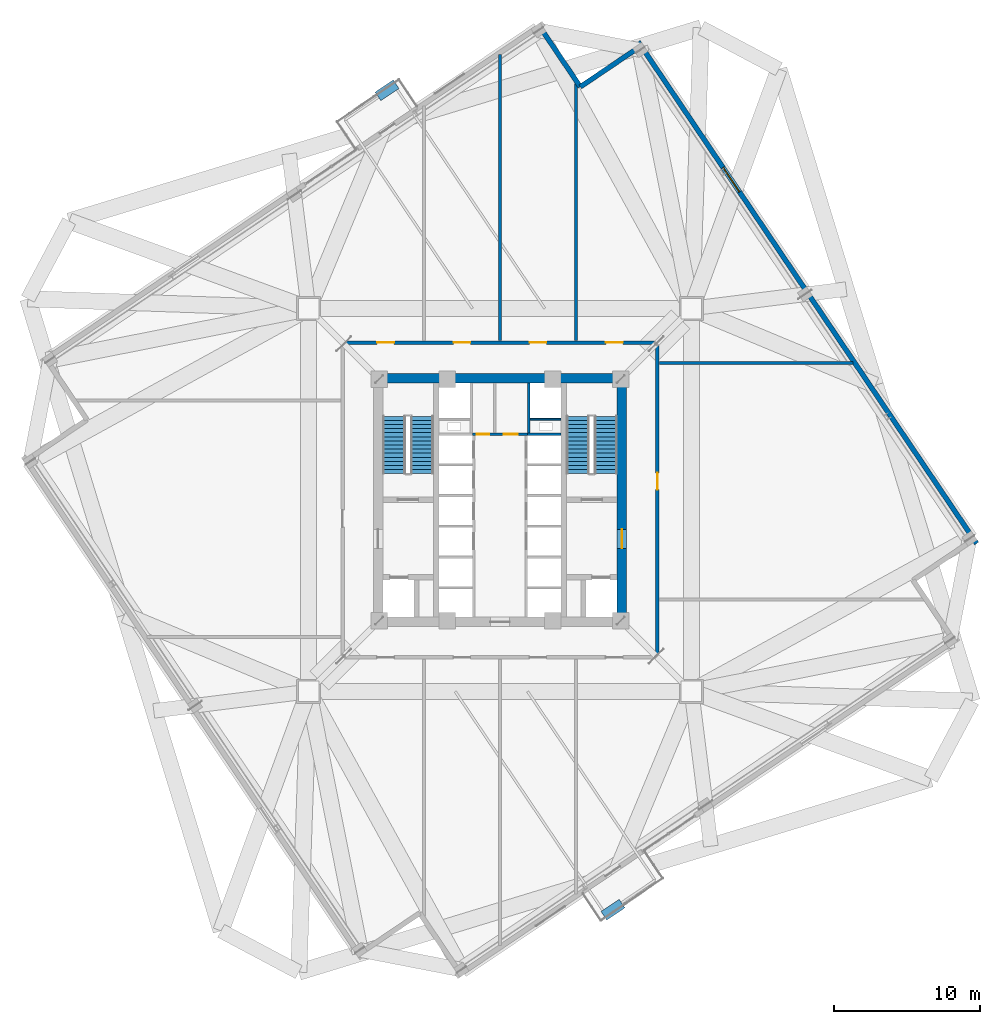
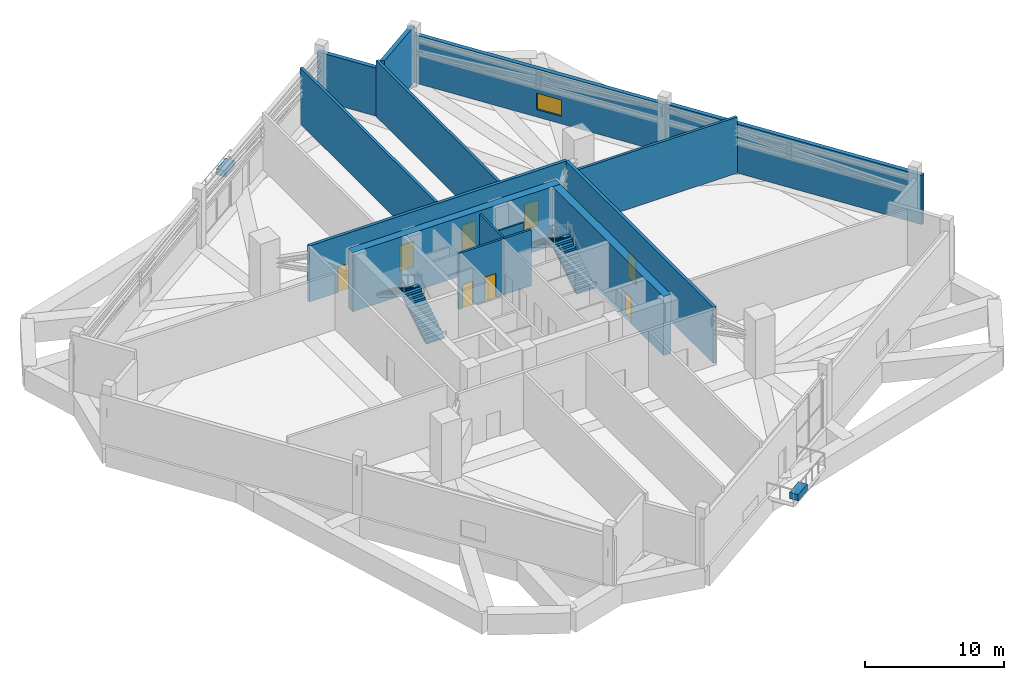
# One storey, part 18 of 21: 15 walls, 8 doors, 4 stair flights, 2 discrete accessories, 1 window, 9 openings, 2 elements without a shape of their own.
"""IFC4 building model written with IfcOpenShell, lengths in metres."""

from ifc_helpers import new_model, si_unit, direction, frame, frame_2d, origin, origin_2d, place, context, subcontext, project, spatial, polyline, rectangle, outline, extrude, source, transform, mapped, material, layer, layer_set, type_object, element, fill, aggregate, save


model = new_model("IFC4")

# Units and contexts
model_context = context("Model", 3, precision=1e-05, world=origin(), true_north=direction((0.0, 1.0)))
body_context = subcontext(model_context, "Body", "Model", "MODEL_VIEW")
ifc_project = project(units=[si_unit("LENGTHUNIT", "METRE"), si_unit("AREAUNIT", "SQUARE_METRE"), si_unit("VOLUMEUNIT", "CUBIC_METRE"), si_unit("PLANEANGLEUNIT", "RADIAN"), si_unit("MASSUNIT", "GRAM", prefix="KILO"), si_unit("THERMODYNAMICTEMPERATUREUNIT", "KELVIN")], contexts=[model_context])

# Site, building, storey
site_placement = place(None, origin())
site = spatial("IfcSite", under=ifc_project, at=site_placement, CompositionType="ELEMENT")
building_placement = place(site_placement, origin())
building = spatial("IfcBuilding", under=site, at=building_placement, Name="Kosmvard Interchange Tower", CompositionType="ELEMENT")
storey_placement = place(building_placement, frame((0.0, 0.0, 139.199951171875)))
storey = spatial("IfcBuildingStorey", under=building, at=storey_placement, Name="L33", CompositionType="ELEMENT", Elevation=139.199951171875)

# Wall
ifc_material_1 = material(Name="Fire-rated gypsum partition system")
ifc_layer_1 = layer(ifc_material_1, 0.159912109375, Name="Fire-rated gypsum partition system")
ifc_layer_set_1 = layer_set([ifc_layer_1], Name="Fire-rated gypsum partition system")
wall_type_1 = type_object("IfcWallType", Name="Core Compartment & Shuttle Lobby Partition 160", PredefinedType="PARTITIONING", material=ifc_layer_set_1)
wall_1_placement = place(storey_placement, frame((1.9599609375, 4.580078125, 0.0), z_axis=(0.0, 0.0, 1.0), x_axis=(0.0, 1.0, 0.0)))
element("IfcWall", 1, at=wall_1_placement, inside=storey, type_object=wall_type_1, Name="L33 North Core East Wall", PredefinedType="PARTITIONING", context=body_context, shape_type="SweptSolid", body=[
    extrude(rectangle(XDim=3.39990234375, YDim=0.159912109375, at=frame_2d((1.699951171875, 0.0))), origin(), (0.0, 0.0, 1.0), 4.93994140625),
])

# Wall, openings, doors
ifc_layer_2 = layer(ifc_material_1, 0.179931640625, Name="Fire-rated gypsum partition system")
ifc_layer_set_2 = layer_set([ifc_layer_2], Name="Fire-rated gypsum partition system")
wall_type_2 = type_object("IfcWallType", Name="Corridor & Hotel Compartment Partition 180", PredefinedType="PARTITIONING", material=ifc_layer_set_2)
wall_2_placement = place(storey_placement, frame((-1.8798828125, 4.489990234375, 0.0), z_axis=(0.0, 0.0, 1.0), x_axis=(1.0, 0.0, 0.0)))
wall_2 = element("IfcWall", 2, at=wall_2_placement, inside=storey, type_object=wall_type_2, Name="L33 Lift Lobby North Partition", PredefinedType="PARTITIONING", context=body_context, shape_type="SweptSolid", body=[
    extrude(rectangle(XDim=3.759765625, YDim=0.179931640625, at=frame_2d((1.8798828125, 0.0))), origin(), (0.0, 0.0, 1.0), 4.93994140625),
])
opening_1_placement = place(wall_2_placement, frame((0.280029296875, 0.0, 0.0)))
opening_1 = element("IfcOpeningElement", 3, at=opening_1_placement, cuts=wall_2, Name="Opening L33-KD1", PredefinedType="OPENING", context=body_context, shape_type="SweptSolid", body=[
    extrude(rectangle(XDim=0.8798828125, YDim=2.10009765625, at=frame_2d((0.43994140625, 1.050048828125))), frame((0.0, 0.10009765625, 0.0), z_axis=(0.0, -1.0, 0.0), x_axis=(1.0, 0.0, 0.0)), (0.0, 0.0, 1.0), 0.199951171875),
])
opening_2_placement = place(wall_2_placement, frame((2.14990234375, 0.0, 0.0)))
opening_2 = element("IfcOpeningElement", 4, at=opening_2_placement, cuts=wall_2, Name="Opening L33-KD2", PredefinedType="OPENING", context=body_context, shape_type="SweptSolid", body=[
    extrude(rectangle(XDim=0.949951171875, YDim=2.10009765625, at=frame_2d((0.47509765625, 1.050048828125))), frame((0.0, 0.10009765625, 0.0), z_axis=(0.0, -1.0, 0.0), x_axis=(1.0, 0.0, 0.0)), (0.0, 0.0, 1.0), 0.199951171875),
])
ifc_material_2 = material(Name="Painted fire-rated timber leaf", Category="wood")
door_type_1 = type_object("IfcDoorType", Name="Core Service Fire Door 950x2100 EI30", OperationType="NOTDEFINED", PredefinedType="DOOR", material=ifc_material_2)
shared_shape_1 = source(origin(), body_context, "Body", "SweptSolid", [
    extrude(rectangle(XDim=0.949951171875, YDim=2.10009765625, at=frame_2d((0.47509765625, 1.050048828125))), frame((0.0, 0.02490234375, 0.0), z_axis=(0.0, -1.0, 0.0), x_axis=(1.0, 0.0, 0.0)), (0.0, 0.0, 1.0), 0.050048828125),
])
door_1_placement = place(opening_2_placement, origin())
door_1 = element("IfcDoor", 5, at=door_1_placement, inside=storey, type_object=door_type_1, Name="L33 Core Tea Pantry Door", OperationType="SINGLE_SWING_RIGHT", OverallHeight=2.10009765625, OverallWidth=0.949951171875, PredefinedType="DOOR", context=body_context, shape_type="MappedRepresentation", body=[
    mapped(shared_shape_1, transform((0.0, 0.0, 0.0), scale=1.0)),
])
fill(opening_2, door_1)
door_type_2 = type_object("IfcDoorType", Name="Core Cupboard Fire Door 880x2100 EI30", OperationType="NOTDEFINED", PredefinedType="DOOR", material=ifc_material_2)
shared_shape_2 = source(origin(), body_context, "Body", "SweptSolid", [
    extrude(rectangle(XDim=0.8798828125, YDim=2.10009765625, at=frame_2d((0.43994140625, 1.050048828125))), frame((0.0, 0.02490234375, 0.0), z_axis=(0.0, -1.0, 0.0), x_axis=(1.0, 0.0, 0.0)), (0.0, 0.0, 1.0), 0.050048828125),
])
door_2_placement = place(opening_1_placement, origin())
door_2 = element("IfcDoor", 6, at=door_2_placement, inside=storey, type_object=door_type_2, Name="L33 Core Cleaner Cupboard Door", OperationType="SINGLE_SWING_LEFT", OverallHeight=2.10009765625, OverallWidth=0.8798828125, PredefinedType="DOOR", context=body_context, shape_type="MappedRepresentation", body=[
    mapped(shared_shape_2, transform((0.0, 0.0, 0.0), scale=1.0)),
])
fill(opening_1, door_2)

ifc_material_3 = material(Name="Concrete blockwork masonry", Category="masonry")
ifc_layer_3 = layer(ifc_material_3, 0.25, Name="Concrete blockwork masonry")
ifc_layer_set_3 = layer_set([ifc_layer_3], Name="Concrete blockwork masonry")
wall_type_3 = type_object("IfcWallType", Name="Exit Passage & Firefighting Lobby Wall 250", PredefinedType="PARTITIONING", material=ifc_layer_set_3)
wall_3_placement = place(storey_placement, frame((-10.75, 10.75, 0.0), z_axis=(0.0, 0.0, 1.0), x_axis=(1.0, 0.0, 0.0)))
wall_3 = element("IfcWall", 7, at=wall_3_placement, inside=storey, type_object=wall_type_3, Name="L33 Corridor Wall CN", PredefinedType="PARTITIONING", context=body_context, shape_type="SweptSolid", body=[
    extrude(rectangle(XDim=21.5, YDim=0.25, at=frame_2d((10.75, 0.0))), origin(), (0.0, 0.0, 1.0), 4.93994140625),
])
opening_3_placement = place(wall_3_placement, frame((2.364501953125, 0.0, 0.0)))
opening_3 = element("IfcOpeningElement", 8, at=opening_3_placement, cuts=wall_3, Name="Opening L33-D01", PredefinedType="OPENING", context=body_context, shape_type="SweptSolid", body=[
    extrude(rectangle(XDim=1.14990234375, YDim=2.25, at=frame_2d((0.574951171875, 1.125))), frame((0.0, 0.135009765625, 0.0), z_axis=(0.0, -1.0, 0.0), x_axis=(1.0, 0.0, 0.0)), (0.0, 0.0, 1.0), 0.27001953125),
])
opening_4_placement = place(wall_3_placement, frame((7.574951171875, 0.0, 0.0)))
opening_4 = element("IfcOpeningElement", 9, at=opening_4_placement, cuts=wall_3, Name="Opening L33-D02", PredefinedType="OPENING", context=body_context, shape_type="SweptSolid", body=[
    extrude(rectangle(XDim=1.14990234375, YDim=2.25, at=frame_2d((0.574951171875, 1.125))), frame((0.0, 0.135009765625, 0.0), z_axis=(0.0, -1.0, 0.0), x_axis=(1.0, 0.0, 0.0)), (0.0, 0.0, 1.0), 0.27001953125),
])
opening_5_placement = place(wall_3_placement, frame((12.77490234375, 0.0, 0.0)))
opening_5 = element("IfcOpeningElement", 10, at=opening_5_placement, cuts=wall_3, Name="Opening L33-D03", PredefinedType="OPENING", context=body_context, shape_type="SweptSolid", body=[
    extrude(rectangle(XDim=1.14990234375, YDim=2.25, at=frame_2d((0.574951171875, 1.125))), frame((0.0, 0.135009765625, 0.0), z_axis=(0.0, -1.0, 0.0), x_axis=(1.0, 0.0, 0.0)), (0.0, 0.0, 1.0), 0.27001953125),
])
opening_6_placement = place(wall_3_placement, frame((17.985595703125, 0.0, 0.0)))
opening_6 = element("IfcOpeningElement", 11, at=opening_6_placement, cuts=wall_3, Name="Opening L33-D04", PredefinedType="OPENING", context=body_context, shape_type="SweptSolid", body=[
    extrude(rectangle(XDim=1.14990234375, YDim=2.25, at=frame_2d((0.574951171875, 1.125))), frame((0.0, 0.135009765625, 0.0), z_axis=(0.0, -1.0, 0.0), x_axis=(1.0, 0.0, 0.0)), (0.0, 0.0, 1.0), 0.27001953125),
])
ifc_material_4 = material(Name="Painted fire-rated steel leaf", Category="steel")
door_type_3 = type_object("IfcDoorType", Name="Plant & Riser Fire Door 1150x2250 EI60", OperationType="NOTDEFINED", PredefinedType="DOOR", material=ifc_material_4)
shared_shape_3 = source(origin(), body_context, "Body", "SweptSolid", [
    extrude(rectangle(XDim=1.14990234375, YDim=2.25, at=frame_2d((0.574951171875, 1.125))), frame((0.0, 0.02490234375, 0.0), z_axis=(0.0, -1.0, 0.0), x_axis=(1.0, 0.0, 0.0)), (0.0, 0.0, 1.0), 0.050048828125),
])
door_3_placement = place(opening_3_placement, origin())
door_3 = element("IfcDoor", 12, at=door_3_placement, inside=storey, type_object=door_type_3, Name="L33 Booster Pump and Fire Tank Plant Room Door", OperationType="SINGLE_SWING_LEFT", OverallHeight=2.25, OverallWidth=1.14990234375, PredefinedType="DOOR", context=body_context, shape_type="MappedRepresentation", body=[
    mapped(shared_shape_3, transform((0.0, 0.0, 0.0), scale=1.0)),
])
fill(opening_3, door_3)
door_4_placement = place(opening_4_placement, origin())
door_4 = element("IfcDoor", 13, at=door_4_placement, inside=storey, type_object=door_type_3, Name="L33 Condenser Water Pump Plant Room Door", OperationType="SINGLE_SWING_RIGHT", OverallHeight=2.25, OverallWidth=1.14990234375, PredefinedType="DOOR", context=body_context, shape_type="MappedRepresentation", body=[
    mapped(shared_shape_3, transform((0.0, 0.0, 0.0), scale=1.0)),
])
fill(opening_4, door_4)
door_5_placement = place(opening_5_placement, origin())
door_5 = element("IfcDoor", 14, at=door_5_placement, inside=storey, type_object=door_type_3, Name="L33 Plate Heat Exchanger Plant Room Door", OperationType="SINGLE_SWING_LEFT", OverallHeight=2.25, OverallWidth=1.14990234375, PredefinedType="DOOR", context=body_context, shape_type="MappedRepresentation", body=[
    mapped(shared_shape_3, transform((0.0, 0.0, 0.0), scale=1.0)),
])
fill(opening_5, door_5)
door_6_placement = place(opening_6_placement, origin())
door_6 = element("IfcDoor", 15, at=door_6_placement, inside=storey, type_object=door_type_3, Name="L33 Zone Chiller Heat Exchange Plant Room Door", OperationType="SINGLE_SWING_RIGHT", OverallHeight=2.25, OverallWidth=1.14990234375, PredefinedType="DOOR", context=body_context, shape_type="MappedRepresentation", body=[
    mapped(shared_shape_3, transform((0.0, 0.0, 0.0), scale=1.0)),
])
fill(opening_6, door_6)

# Wall, opening, door
wall_4_placement = place(storey_placement, frame((10.75, -10.64990234375, 0.0), z_axis=(0.0, 0.0, 1.0), x_axis=(0.0, 1.0, 0.0)))
wall_4 = element("IfcWall", 16, at=wall_4_placement, inside=storey, type_object=wall_type_3, Name="L33 Corridor Wall CE", PredefinedType="PARTITIONING", context=body_context, shape_type="SweptSolid", body=[
    extrude(rectangle(XDim=21.2998046875, YDim=0.25, at=frame_2d((10.64990234375, 0.0))), origin(), (0.0, 0.0, 1.0), 4.93994140625),
])
opening_7_placement = place(wall_4_placement, frame((11.35009765625, 0.0, 0.0)))
opening_7 = element("IfcOpeningElement", 17, at=opening_7_placement, cuts=wall_4, Name="Opening L33-D05", PredefinedType="OPENING", context=body_context, shape_type="SweptSolid", body=[
    extrude(rectangle(XDim=1.14990234375, YDim=2.25, at=frame_2d((0.574951171875, 1.125))), frame((0.0, 0.135009765625, 0.0), z_axis=(0.0, -1.0, 0.0), x_axis=(1.0, 0.0, 0.0)), (0.0, 0.0, 1.0), 0.27001953125),
])
door_7_placement = place(opening_7_placement, frame((1.14990234375, 0.0, 0.0), z_axis=(0.0, 0.0, 1.0), x_axis=(-1.0, 0.0, 0.0)))
door_7 = element("IfcDoor", 18, at=door_7_placement, inside=storey, type_object=door_type_3, Name="L33 Refuge Area East Door", OperationType="SINGLE_SWING_LEFT", OverallHeight=2.25, OverallWidth=1.14990234375, PredefinedType="DOOR", context=body_context, shape_type="MappedRepresentation", body=[
    mapped(shared_shape_3, transform((0.0, 0.0, 0.0), scale=1.0)),
])
fill(opening_7, door_7)

# Wall
ifc_material_5 = material(Name="Concrete C70/85", Category="concrete")
ifc_layer_4 = layer(ifc_material_5, 0.64990234375, Name="Concrete C70/85")
ifc_layer_set_4 = layer_set([ifc_layer_4], Name="Concrete C70/85")
wall_type_4 = type_object("IfcWallType", Name="Mid Core Shear Wall 650 C70/85", PredefinedType="SHEAR", material=ifc_layer_set_4)
wall_5_placement = place(storey_placement, frame((-8.64990234375, 8.324951171875, 0.0), z_axis=(0.0, 0.0, 1.0), x_axis=(1.0, 0.0, 0.0)))
element("IfcWall", 19, at=wall_5_placement, inside=storey, type_object=wall_type_4, Name="L33 Core Shear Wall CW-N", PredefinedType="SHEAR", context=body_context, shape_type="SweptSolid", body=[
    extrude(rectangle(XDim=17.2998046875, YDim=0.64990234375, at=frame_2d((8.64990234375, 0.0))), origin(), (0.0, 0.0, 1.0), 5.199951171875),
])

# Wall, opening, door
wall_6_placement = place(storey_placement, frame((8.324951171875, -8.0, 0.0), z_axis=(0.0, 0.0, 1.0), x_axis=(0.0, 1.0, 0.0)))
wall_6 = element("IfcWall", 20, at=wall_6_placement, inside=storey, type_object=wall_type_4, Name="L33 Core Shear Wall CW-E", PredefinedType="SHEAR", context=body_context, shape_type="SweptSolid", body=[
    extrude(rectangle(XDim=16.0, YDim=0.64990234375, at=frame_2d((8.0, 0.0))), origin(), (0.0, 0.0, 1.0), 5.199951171875),
])
opening_8_placement = place(wall_6_placement, frame((4.68994140625, 0.0, 0.0)))
opening_8 = element("IfcOpeningElement", 21, at=opening_8_placement, cuts=wall_6, Name="Opening L33-FD2", PredefinedType="OPENING", context=body_context, shape_type="SweptSolid", body=[
    extrude(rectangle(XDim=1.300048828125, YDim=2.199951171875, at=frame_2d((0.64990234375, 1.10009765625))), frame((0.0, 0.3349609375, 0.0), z_axis=(0.0, -1.0, 0.0), x_axis=(1.0, 0.0, 0.0)), (0.0, 0.0, 1.0), 0.669921875),
])
door_type_4 = type_object("IfcDoorType", Name="Firefighting Lobby Door 1300x2200 EI60", OperationType="NOTDEFINED", PredefinedType="DOOR", material=ifc_material_4)
shared_shape_4 = source(origin(), body_context, "Body", "SweptSolid", [
    extrude(rectangle(XDim=1.300048828125, YDim=2.199951171875, at=frame_2d((0.64990234375, 1.10009765625))), frame((0.0, 0.02490234375, 0.0), z_axis=(0.0, -1.0, 0.0), x_axis=(1.0, 0.0, 0.0)), (0.0, 0.0, 1.0), 0.050048828125),
])
door_8_placement = place(opening_8_placement, origin())
door_8 = element("IfcDoor", 22, at=door_8_placement, inside=storey, type_object=door_type_4, Name="L33 Firefighting Lobby East Door", OperationType="SINGLE_SWING_RIGHT", OverallHeight=2.199951171875, OverallWidth=1.300048828125, PredefinedType="DOOR", context=body_context, shape_type="MappedRepresentation", body=[
    mapped(shared_shape_4, transform((0.0, 0.0, 0.0), scale=1.0)),
])
fill(opening_8, door_8)

# Walls
ifc_material_6 = material(Name="Precast concrete C45/55", Category="concrete")
ifc_layer_5 = layer(ifc_material_6, 0.340087890625, Name="Precast concrete C45/55")
ifc_layer_set_5 = layer_set([ifc_layer_5], Name="Precast concrete C45/55")
wall_type_5 = type_object("IfcWallType", Name="Mid Tower Precast Pier Wall 340 C45/55", PredefinedType="STANDARD", material=ifc_layer_set_5)
wall_7_placement = place(storey_placement, frame((9.631103515625, 31.018798828125, 0.0), z_axis=(0.0, 0.0, 1.0), x_axis=(-0.829025804298, -0.559210350234, 0.0)))
element("IfcWall", 23, at=wall_7_placement, inside=storey, type_object=wall_type_5, Name="L33 Corner Precast Pier N-NE1", PredefinedType="STANDARD", context=body_context, shape_type="SweptSolid", body=[
    extrude(rectangle(XDim=5.000244140625, YDim=0.340087890625, at=frame_2d((2.5, 0.0))), origin(), (0.0, 0.0, 1.0), 4.93994140625),
])
wall_8_placement = place(storey_placement, frame((5.48583984375, 28.22265625, 0.0), z_axis=(0.0, 0.0, 1.0), x_axis=(-0.559171107879, 0.82905227345, 0.0)))
element("IfcWall", 24, at=wall_8_placement, inside=storey, type_object=wall_type_5, Name="L33 Corner Precast Pier N-NE2", PredefinedType="STANDARD", context=body_context, shape_type="SweptSolid", body=[
    extrude(rectangle(XDim=5.169921875, YDim=0.340087890625, at=frame_2d((2.5849609375, 0.0))), origin(), (0.0, 0.0, 1.0), 4.239990234375),
])
wall_9_placement = place(storey_placement, frame((32.55810546875, -2.971923828125, 0.0), z_axis=(0.0, 0.0, 1.0), x_axis=(-0.559194910251, 0.829036218961, 0.0)))
element("IfcWall", 25, at=wall_9_placement, inside=storey, type_object=wall_type_5, Name="L33 Facade Pier Wall EA", PredefinedType="STANDARD", context=body_context, shape_type="SweptSolid", body=[
    extrude(rectangle(XDim=20.670166015625, YDim=0.340087890625, at=frame_2d((10.3349609375, 0.0))), origin(), (0.0, 0.0, 1.0), 4.340087890625),
])

# Wall, opening, window
wall_10_placement = place(storey_placement, frame((20.99951171875, 14.164306640625, 0.0), z_axis=(0.0, 0.0, 1.0), x_axis=(-0.559194910251, 0.829036218961, 0.0)))
wall_10 = element("IfcWall", 26, at=wall_10_placement, inside=storey, type_object=wall_type_5, Name="L33 Facade Pier Wall EB", PredefinedType="STANDARD", context=body_context, shape_type="SweptSolid", body=[
    extrude(rectangle(XDim=20.670166015625, YDim=0.340087890625, at=frame_2d((10.3349609375, 0.0))), origin(), (0.0, 0.0, 1.0), 4.239990234375),
])
opening_9_placement = place(wall_10_placement, frame((8.301513671875, 0.0, 0.64990234375)))
opening_9 = element("IfcOpeningElement", 27, at=opening_9_placement, cuts=wall_10, Name="Opening L33-WEB", PredefinedType="OPENING", context=body_context, shape_type="SweptSolid", body=[
    extrude(rectangle(XDim=2.0, YDim=1.449951171875, at=frame_2d((1.0, 0.72509765625))), frame((0.0, 0.18017578125, 0.0), z_axis=(0.0, -1.0, 0.0), x_axis=(1.0, 0.0, 0.0)), (0.0, 0.0, 1.0), 0.360107421875),
])
ifc_material_7 = material(Name="Low-E solar-control double glazing", Category="glass")
window_type = type_object("IfcWindowType", Name="Transfer Zone Punched Window 2000x1450", PartitioningType="SINGLE_PANEL", PredefinedType="WINDOW", material=ifc_material_7)
shared_shape_5 = source(origin(), body_context, "Body", "SweptSolid", [
    extrude(rectangle(XDim=2.0, YDim=1.449951171875, at=frame_2d((1.0, 0.72509765625))), frame((0.0, 0.030029296875, 0.0), z_axis=(0.0, -1.0, 0.0), x_axis=(1.0, 0.0, 0.0)), (0.0, 0.0, 1.0), 0.06005859375),
])
window_placement = place(opening_9_placement, origin())
window = element("IfcWindow", 28, at=window_placement, inside=storey, type_object=window_type, Name="L33 Facade Punched Window EB", OverallHeight=1.449951171875, OverallWidth=2.0, PartitioningType="SINGLE_PANEL", PredefinedType="WINDOW", context=body_context, shape_type="MappedRepresentation", body=[
    mapped(shared_shape_5, transform((0.0, 0.0, 0.0), scale=1.0)),
])
fill(opening_9, window)

# Walls
ifc_layer_6 = layer(ifc_material_3, 0.179931640625, Name="Concrete blockwork masonry")
ifc_layer_set_6 = layer_set([ifc_layer_6], Name="Concrete blockwork masonry")
wall_type_6 = type_object("IfcWallType", Name="Riser & Lift Bank Divider Wall 180", PredefinedType="PARTITIONING", material=ifc_layer_set_6)
wall_11_placement = place(storey_placement, frame((1.889892578125, 4.489990234375, 0.0), z_axis=(0.0, 0.0, 1.0), x_axis=(1.0, 0.0, 0.0)))
element("IfcWall", 29, at=wall_11_placement, inside=storey, type_object=wall_type_6, Name="L33 East Bank Divider BD3", PredefinedType="PARTITIONING", context=body_context, shape_type="SweptSolid", body=[
    extrude(rectangle(XDim=2.280029296875, YDim=0.179931640625, at=frame_2d((1.14013671875, 0.0))), origin(), (0.0, 0.0, 1.0), 4.93994140625),
])
ifc_layer_7 = layer(ifc_material_3, 0.219970703125, Name="Concrete blockwork masonry")
ifc_layer_set_7 = layer_set([ifc_layer_7], Name="Concrete blockwork masonry")
wall_type_7 = type_object("IfcWallType", Name="Riser & Plant Enclosure Wall 220", PredefinedType="PARTITIONING", material=ifc_layer_set_7)
wall_12_placement = place(storey_placement, frame((0.0, 10.8798828125, 0.0), z_axis=(0.0, 0.0, 1.0), x_axis=(0.0, 1.0, 0.0)))
element("IfcWall", 30, at=wall_12_placement, inside=storey, type_object=wall_type_7, Name="L33 Room Partition 02.1", PredefinedType="PARTITIONING", context=body_context, shape_type="SweptSolid", body=[
    extrude(rectangle(XDim=19.546875, YDim=0.219970703125, at=frame_2d((9.7734375, 0.0))), origin(), (0.0, 0.0, 1.0), 4.93994140625),
])
wall_13_placement = place(storey_placement, frame((5.199951171875, 10.8798828125, 0.0), z_axis=(0.0, 0.0, 1.0), x_axis=(0.0, 1.0, 0.0)))
element("IfcWall", 31, at=wall_13_placement, inside=storey, type_object=wall_type_7, Name="L33 Room Partition 03.1", PredefinedType="PARTITIONING", context=body_context, shape_type="SweptSolid", body=[
    extrude(rectangle(XDim=17.5791015625, YDim=0.219970703125, at=frame_2d((8.78955078125, 0.0))), origin(), (0.0, 0.0, 1.0), 4.93994140625),
])
wall_14_placement = place(storey_placement, frame((10.8798828125, 9.35009765625, 0.0), z_axis=(0.0, 0.0, 1.0), x_axis=(1.0, 0.0, 0.0)))
element("IfcWall", 32, at=wall_14_placement, inside=storey, type_object=wall_type_7, Name="L33 Room Partition 04.1", PredefinedType="PARTITIONING", context=body_context, shape_type="SweptSolid", body=[
    extrude(rectangle(XDim=13.240234375, YDim=0.219970703125, at=frame_2d((6.6201171875, 0.0))), origin(), (0.0, 0.0, 1.0), 4.93994140625),
])
ifc_material_8 = material(Name="Fire-rated gypsum shaftwall system")
ifc_layer_8 = layer(ifc_material_8, 0.1201171875, Name="Fire-rated gypsum shaftwall system")
ifc_layer_set_8 = layer_set([ifc_layer_8], Name="Fire-rated gypsum shaftwall system")
wall_type_8 = type_object("IfcWallType", Name="Shaft & Riser Fire Partition 120 EI60", PredefinedType="PARTITIONING", material=ifc_layer_set_8)
wall_15_placement = place(storey_placement, frame((2.06005859375, 5.52001953125, 0.0), z_axis=(0.0, 0.0, 1.0), x_axis=(1.0, 0.0, 0.0)))
element("IfcWall", 33, at=wall_15_placement, inside=storey, type_object=wall_type_8, Name="L33 Riser Shaft Divider E", PredefinedType="PARTITIONING", context=body_context, shape_type="SweptSolid", body=[
    extrude(rectangle(XDim=2.099853515625, YDim=0.1201171875, at=frame_2d((1.0498046875, 0.0))), origin(), (0.0, 0.0, 1.0), 4.93994140625),
])

# Stair, stair flights
ifc_material_9 = material(Name="Concrete C50/60", Category="concrete")
stair_type = type_object("IfcStairType", Name="Dog-Leg Core Exit Stair H5200 C50/60", PredefinedType="HALF_TURN_STAIR", material=ifc_material_9)
stair_1_placement = place(storey_placement, origin())
stair_1 = element("IfcStair", 34, at=stair_1_placement, inside=storey, type_object=stair_type, Name="L33 Protected Exit Stair ST-1", PredefinedType="HALF_TURN_STAIR")
stair_flight_type = type_object("IfcStairFlightType", Name="Core Stair Flight W1550 H5200 C50/60", PredefinedType="STRAIGHT", material=ifc_material_9)
shared_shape_6 = source(origin(), body_context, "Body", "SweptSolid", [
    extrude(outline(polyline([(0.0, 0.0), (0.0, 0.17333984375), (0.280029296875, 0.17333984375), (0.280029296875, 0.3466796875), (0.56005859375, 0.3466796875), (0.56005859375, 0.52001953125), (0.840087890625, 0.52001953125), (0.840087890625, 0.693359375), (1.1201171875, 0.693359375), (1.1201171875, 0.86669921875), (1.39990234375, 0.86669921875), (1.39990234375, 1.0400390625), (1.679931640625, 1.0400390625), (1.679931640625, 1.21337890625), (1.9599609375, 1.21337890625), (1.9599609375, 1.38671875), (2.239990234375, 1.38671875), (2.239990234375, 1.56005859375), (2.52001953125, 1.56005859375), (2.52001953125, 1.7333984375), (2.800048828125, 1.7333984375), (2.800048828125, 1.90673828125), (3.080078125, 1.90673828125), (3.080078125, 2.080078125), (3.360107421875, 2.080078125), (3.360107421875, 2.25341796875), (3.639892578125, 2.25341796875), (3.639892578125, 2.4267578125), (3.919921875, 2.4267578125), (3.919921875, 2.60009765625), (3.919921875, 2.238525390625), (0.3037109375, 0.0), (0.0, 0.0)])), frame((0.0, 0.77490234375, 0.0), z_axis=(0.0, -1.0, 0.0), x_axis=(1.0, 0.0, 0.0)), (0.0, 0.0, 1.0), 1.550048828125),
])
stair_flight_1_placement = place(storey_placement, frame((-5.31494140625, 1.800048828125, 0.0), z_axis=(0.0, 0.0, 1.0), x_axis=(0.0, 1.0, 0.0)))
stair_flight_1 = element("IfcStairFlight", 35, at=stair_flight_1_placement, type_object=stair_flight_type, Name="ST-1 flight 1", NumberOfRisers=15, NumberOfTreads=14, PredefinedType="STRAIGHT", RiserHeight=0.173333333, TreadLength=0.28, context=body_context, shape_type="MappedRepresentation", body=[
    mapped(shared_shape_6, transform((0.0, 0.0, 0.0), scale=1.0)),
])
stair_flight_2_placement = place(storey_placement, frame((-7.22509765625, 5.719970703125, 2.60009765625), z_axis=(0.0, 0.0, 1.0), x_axis=(0.0, -1.0, 0.0)))
stair_flight_2 = element("IfcStairFlight", 36, at=stair_flight_2_placement, type_object=stair_flight_type, Name="ST-1 flight 2", NumberOfRisers=15, NumberOfTreads=14, PredefinedType="STRAIGHT", RiserHeight=0.173333333, TreadLength=0.28, context=body_context, shape_type="MappedRepresentation", body=[
    mapped(shared_shape_6, transform((0.0, 0.0, 0.0), scale=1.0)),
])
aggregate(stair_1, [stair_flight_1, stair_flight_2])

stair_2_placement = place(storey_placement, origin())
stair_2 = element("IfcStair", 37, at=stair_2_placement, inside=storey, type_object=stair_type, Name="L33 Protected Exit Stair ST-2", PredefinedType="HALF_TURN_STAIR")
stair_flight_3_placement = place(storey_placement, frame((7.22509765625, 1.800048828125, 0.0), z_axis=(0.0, 0.0, 1.0), x_axis=(0.0, 1.0, 0.0)))
stair_flight_3 = element("IfcStairFlight", 38, at=stair_flight_3_placement, type_object=stair_flight_type, Name="ST-2 flight 1", NumberOfRisers=15, NumberOfTreads=14, PredefinedType="STRAIGHT", RiserHeight=0.173333333, TreadLength=0.28, context=body_context, shape_type="MappedRepresentation", body=[
    mapped(shared_shape_6, transform((0.0, 0.0, 0.0), scale=1.0)),
])
stair_flight_4_placement = place(storey_placement, frame((5.31494140625, 5.719970703125, 2.60009765625), z_axis=(0.0, 0.0, 1.0), x_axis=(0.0, -1.0, 0.0)))
stair_flight_4 = element("IfcStairFlight", 39, at=stair_flight_4_placement, type_object=stair_flight_type, Name="ST-2 flight 2", NumberOfRisers=15, NumberOfTreads=14, PredefinedType="STRAIGHT", RiserHeight=0.173333333, TreadLength=0.28, context=body_context, shape_type="MappedRepresentation", body=[
    mapped(shared_shape_6, transform((0.0, 0.0, 0.0), scale=1.0)),
])
aggregate(stair_2, [stair_flight_3, stair_flight_4])

# Discrete accessories
ifc_material_10 = material(Name="Terracotta precast planter concrete C45/55", Category="masonry")
discrete_accessory_type = type_object("IfcDiscreteAccessoryType", Name="Precast Tree-Balcony & Terrace Planter Box", PredefinedType="USERDEFINED", material=ifc_material_10)
shared_shape_7 = source(origin(), body_context, "Body", "SweptSolid", [
    extrude(rectangle(XDim=1.5, YDim=0.699951171875, at=origin_2d()), origin(), (0.0, 0.0, 1.0), 0.550048828125),
])
for number, where, z_axis, x_axis, name in (
    (40, (-7.716552734375, 27.985107421875, 0.0), (0.0, 0.0, 1.0), (0.829037572555, 0.559192903471, 0.0), "L33 Sky-Garden Planter SKG-L33-N"),
    (41, (7.716552734375, -27.985107421875, 0.0), (0.0, 0.0, 1.0), (0.829037572555, 0.559192903471, 0.0), "L33 Sky-Garden Planter SKG-L33-S"),
):
    element("IfcDiscreteAccessory", number, at=place(storey_placement, frame(where, z_axis=z_axis, x_axis=x_axis)), inside=storey, type_object=discrete_accessory_type, Name=name, ObjectType="PLANTER", PredefinedType="USERDEFINED", context=body_context, shape_type="MappedRepresentation", body=[
        mapped(shared_shape_7, transform((0.0, 0.0, 0.0), scale=1.0)),
    ])

save(model, "model.ifc")
